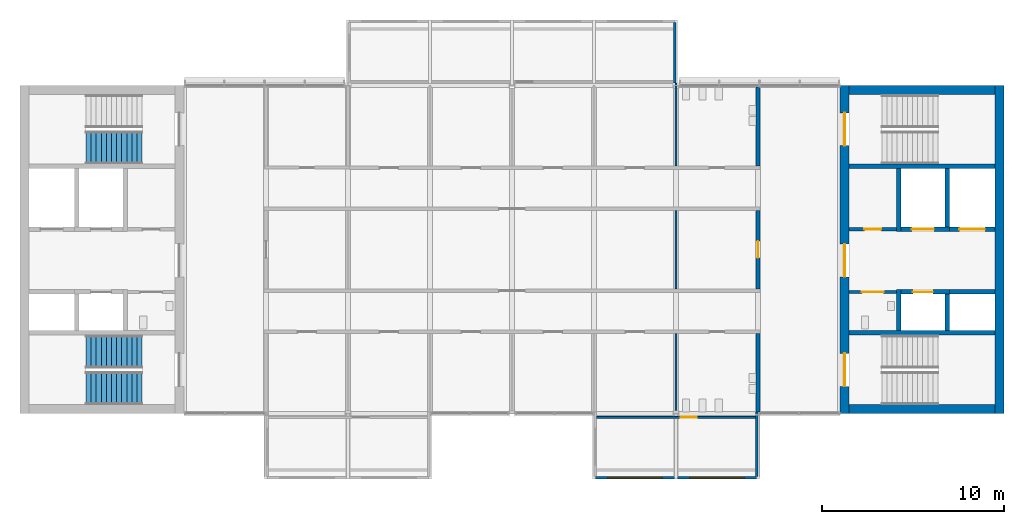
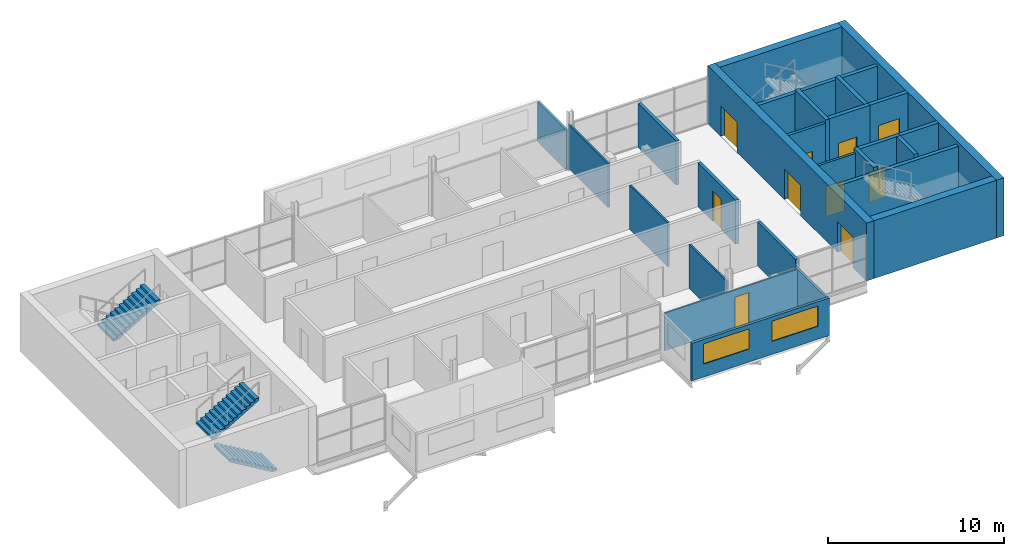
# One storey, part 8 of 12: 26 walls, 10 doors, 3 stair flights, 2 windows, 12 openings, 2 elements without a shape of their own.
"""IFC4 building model written with IfcOpenShell, lengths in metres."""

from ifc_helpers import new_model, si_unit, direction, frame, frame_2d, origin, place, context, subcontext, project, spatial, polyline, rectangle, outline, extrude, material, layer, layer_set, type_object, element, fill, aggregate, save


model = new_model("IFC4")

# Units and contexts
model_context = context("Model", 3, precision=1e-05, world=origin(), true_north=direction((0.0, 1.0)))
body_context = subcontext(model_context, "Body", "Model", "MODEL_VIEW")
ifc_project = project(units=[si_unit("LENGTHUNIT", "METRE"), si_unit("AREAUNIT", "SQUARE_METRE"), si_unit("VOLUMEUNIT", "CUBIC_METRE"), si_unit("PLANEANGLEUNIT", "RADIAN"), si_unit("MASSUNIT", "GRAM", prefix="KILO")], contexts=[model_context])

# Site, building, storey
site_placement = place(None, origin())
site = spatial("IfcSite", under=ifc_project, at=site_placement, CompositionType="ELEMENT")
building_placement = place(site_placement, origin())
building = spatial("IfcBuilding", under=site, at=building_placement, Name="Corbel Yard City Hall", CompositionType="ELEMENT")
storey_placement = place(building_placement, frame((0.0, 0.0, 55.199951171875)))
storey = spatial("IfcBuildingStorey", under=building, at=storey_placement, Name="L13", CompositionType="ELEMENT", Elevation=55.199951171875)

# Walls
ifc_material_1 = material(Name="Concrete N40 (40 MPa)", Category="concrete")
ifc_layer_1 = layer(ifc_material_1, 0.25)
ifc_layer_set_1 = layer_set([ifc_layer_1], Name="Concrete N40 (40 MPa)")
wall_type_1 = type_object("IfcWallType", Name="IW2", PredefinedType="SOLIDWALL", material=ifc_layer_set_1)
for number, where, z_axis, x_axis, name in (
    (1, (45.5, 103.425048828125, 0.0), (0.0, 0.0, 1.0), (1.0, 0.0, 0.0), "Stair enclosure wall"),
    (2, (45.5, 112.574951171875, 0.0), (0.0, 0.0, 1.0), (1.0, 0.0, 0.0), "Stair enclosure wall"),
):
    element("IfcWall", number, at=place(storey_placement, frame(where, z_axis=z_axis, x_axis=x_axis)), inside=storey, type_object=wall_type_1, Name=name, PredefinedType="SOLIDWALL", context=body_context, shape_type="SweptSolid", body=[
        extrude(rectangle(XDim=8.0, YDim=0.25, at=frame_2d((4.0, 0.0))), origin(), (0.0, 0.0, 1.0), 3.75),
    ])
wall_1_placement = place(storey_placement, frame((48.22509765625, 103.550048828125, 0.0), z_axis=(0.0, 0.0, 1.0), x_axis=(0.0, 1.0, 0.0)))
element("IfcWall", 3, at=wall_1_placement, inside=storey, type_object=wall_type_1, Name="Lift LP25 shaft wall", PredefinedType="SOLIDWALL", context=body_context, shape_type="SweptSolid", body=[
    extrude(rectangle(XDim=2.25, YDim=0.25, at=frame_2d((1.125, 0.0))), origin(), (0.0, 0.0, 1.0), 4.0),
])
wall_2_placement = place(storey_placement, frame((50.875, 103.550048828125, 0.0), z_axis=(0.0, 0.0, 1.0), x_axis=(0.0, 1.0, 0.0)))
element("IfcWall", 4, at=wall_2_placement, inside=storey, type_object=wall_type_1, Name="Lift LP25 shaft wall", PredefinedType="SOLIDWALL", context=body_context, shape_type="SweptSolid", body=[
    extrude(rectangle(XDim=2.0, YDim=0.25, at=frame_2d((1.0, 0.0))), origin(), (0.0, 0.0, 1.0), 4.0),
])

# Wall, opening, door
wall_3_placement = place(storey_placement, frame((48.35009765625, 105.675048828125, 0.0), z_axis=(0.0, 0.0, 1.0), x_axis=(1.0, 0.0, 0.0)))
wall_3 = element("IfcWall", 5, at=wall_3_placement, inside=storey, type_object=wall_type_1, Name="Lift LP25 shaft wall", PredefinedType="SOLIDWALL", context=body_context, shape_type="SweptSolid", body=[
    extrude(rectangle(XDim=2.64990234375, YDim=0.25, at=frame_2d((1.324951171875, 0.0))), origin(), (0.0, 0.0, 1.0), 4.0),
])
opening_1_placement = place(wall_3_placement, frame((0.64990234375, 0.0, 0.0)))
opening_1 = element("IfcOpeningElement", 6, at=opening_1_placement, cuts=wall_3, Name="Opening T4-007", PredefinedType="OPENING", context=body_context, shape_type="SweptSolid", body=[
    extrude(rectangle(XDim=1.10009765625, YDim=2.10009765625, at=frame_2d((0.550048828125, 1.050048828125))), frame((0.0, 0.135009765625, 0.0), z_axis=(0.0, -1.0, 0.0), x_axis=(1.0, 0.0, 0.0)), (0.0, 0.0, 1.0), 0.27001953125),
])
ifc_material_2 = material(Name="Stainless steel Grade 316", Category="steel")
door_type_1 = type_object("IfcDoorType", Name="LD1", OperationType="DOUBLE_DOOR_SLIDING", PredefinedType="DOOR", material=ifc_material_2)
door_1_placement = place(opening_1_placement, origin())
door_1 = element("IfcDoor", 7, at=door_1_placement, inside=storey, type_object=door_type_1, Name="Lift LP25 landing door", OperationType="DOUBLE_DOOR_SLIDING", OverallHeight=2.10009765625, OverallWidth=1.10009765625, PredefinedType="DOOR", context=body_context, shape_type="SweptSolid", body=[
    extrude(rectangle(XDim=1.10009765625, YDim=2.10009765625, at=frame_2d((0.550048828125, 1.050048828125))), frame((0.0, 0.02490234375, 0.0), z_axis=(0.0, -1.0, 0.0), x_axis=(1.0, 0.0, 0.0)), (0.0, 0.0, 1.0), 0.050048828125),
])
fill(opening_1, door_1)

# Walls
wall_4_placement = place(storey_placement, frame((51.0, 105.675048828125, 0.0), z_axis=(0.0, 0.0, 1.0), x_axis=(1.0, 0.0, 0.0)))
element("IfcWall", 8, at=wall_4_placement, inside=storey, type_object=wall_type_1, Name="Lift LP26 shaft wall", PredefinedType="SOLIDWALL", context=body_context, shape_type="SweptSolid", body=[
    extrude(rectangle(XDim=2.5, YDim=0.25, at=frame_2d((1.25, 0.0))), origin(), (0.0, 0.0, 1.0), 4.0),
])
wall_5_placement = place(storey_placement, frame((48.22509765625, 109.0, 0.0), z_axis=(0.0, 0.0, 1.0), x_axis=(0.0, 1.0, 0.0)))
element("IfcWall", 9, at=wall_5_placement, inside=storey, type_object=wall_type_1, Name="Lift LF2 shaft wall", PredefinedType="SOLIDWALL", context=body_context, shape_type="SweptSolid", body=[
    extrude(rectangle(XDim=3.449951171875, YDim=0.25, at=frame_2d((1.72509765625, 0.0))), origin(), (0.0, 0.0, 1.0), 4.0),
])
wall_6_placement = place(storey_placement, frame((50.875, 109.25, 0.0), z_axis=(0.0, 0.0, 1.0), x_axis=(0.0, 1.0, 0.0)))
element("IfcWall", 10, at=wall_6_placement, inside=storey, type_object=wall_type_1, Name="Lift LF2 shaft wall", PredefinedType="SOLIDWALL", context=body_context, shape_type="SweptSolid", body=[
    extrude(rectangle(XDim=3.199951171875, YDim=0.25, at=frame_2d((1.60009765625, 0.0))), origin(), (0.0, 0.0, 1.0), 4.0),
])

# Wall, opening, door
wall_7_placement = place(storey_placement, frame((48.35009765625, 109.125, 0.0), z_axis=(0.0, 0.0, 1.0), x_axis=(1.0, 0.0, 0.0)))
wall_7 = element("IfcWall", 11, at=wall_7_placement, inside=storey, type_object=wall_type_1, Name="Lift LF2 shaft wall", PredefinedType="SOLIDWALL", context=body_context, shape_type="SweptSolid", body=[
    extrude(rectangle(XDim=2.64990234375, YDim=0.25, at=frame_2d((1.324951171875, 0.0))), origin(), (0.0, 0.0, 1.0), 4.0),
])
opening_2_placement = place(wall_7_placement, frame((0.60009765625, 0.0, 0.0)))
opening_2 = element("IfcOpeningElement", 12, at=opening_2_placement, cuts=wall_7, Name="Opening T4-008", PredefinedType="OPENING", context=body_context, shape_type="SweptSolid", body=[
    extrude(rectangle(XDim=1.199951171875, YDim=2.10009765625, at=frame_2d((0.60009765625, 1.050048828125))), frame((0.0, 0.135009765625, 0.0), z_axis=(0.0, -1.0, 0.0), x_axis=(1.0, 0.0, 0.0)), (0.0, 0.0, 1.0), 0.27001953125),
])
door_type_2 = type_object("IfcDoorType", Name="LD2", OperationType="DOUBLE_DOOR_SLIDING", PredefinedType="DOOR", material=ifc_material_2)
door_2_placement = place(opening_2_placement, origin())
door_2 = element("IfcDoor", 13, at=door_2_placement, inside=storey, type_object=door_type_2, Name="Lift LF2 landing door", OperationType="DOUBLE_DOOR_SLIDING", OverallHeight=2.10009765625, OverallWidth=1.199951171875, PredefinedType="DOOR", context=body_context, shape_type="SweptSolid", body=[
    extrude(rectangle(XDim=1.199951171875, YDim=2.10009765625, at=frame_2d((0.60009765625, 1.050048828125))), frame((0.0, 0.02490234375, 0.0), z_axis=(0.0, -1.0, 0.0), x_axis=(1.0, 0.0, 0.0)), (0.0, 0.0, 1.0), 0.050048828125),
])
fill(opening_2, door_2)

wall_8_placement = place(storey_placement, frame((51.0, 109.125, 0.0), z_axis=(0.0, 0.0, 1.0), x_axis=(1.0, 0.0, 0.0)))
wall_8 = element("IfcWall", 14, at=wall_8_placement, inside=storey, type_object=wall_type_1, Name="Lift LG1 shaft wall", PredefinedType="SOLIDWALL", context=body_context, shape_type="SweptSolid", body=[
    extrude(rectangle(XDim=2.5, YDim=0.25, at=frame_2d((1.25, 0.0))), origin(), (0.0, 0.0, 1.0), 4.0),
])
opening_3_placement = place(wall_8_placement, frame((0.550048828125, 0.0, 0.0)))
opening_3 = element("IfcOpeningElement", 15, at=opening_3_placement, cuts=wall_8, Name="Opening T4-009", PredefinedType="OPENING", context=body_context, shape_type="SweptSolid", body=[
    extrude(rectangle(XDim=1.39990234375, YDim=2.39990234375, at=frame_2d((0.699951171875, 1.199951171875))), frame((0.0, 0.135009765625, 0.0), z_axis=(0.0, -1.0, 0.0), x_axis=(1.0, 0.0, 0.0)), (0.0, 0.0, 1.0), 0.27001953125),
])
door_type_3 = type_object("IfcDoorType", Name="LD3", OperationType="DOUBLE_DOOR_SLIDING", PredefinedType="DOOR", material=ifc_material_2)
door_3_placement = place(opening_3_placement, origin())
door_3 = element("IfcDoor", 16, at=door_3_placement, inside=storey, type_object=door_type_3, Name="Lift LG1 landing door", OperationType="DOUBLE_DOOR_SLIDING", OverallHeight=2.39990234375, OverallWidth=1.39990234375, PredefinedType="DOOR", context=body_context, shape_type="SweptSolid", body=[
    extrude(rectangle(XDim=1.39990234375, YDim=2.39990234375, at=frame_2d((0.699951171875, 1.199951171875))), frame((0.0, 0.02490234375, 0.0), z_axis=(0.0, -1.0, 0.0), x_axis=(1.0, 0.0, 0.0)), (0.0, 0.0, 1.0), 0.050048828125),
])
fill(opening_3, door_3)

# Wall, openings, windows
ifc_material_3 = material(Name="Anodised aluminium", Category="aluminium")
ifc_layer_2 = layer(ifc_material_3, 0.02392578125)
ifc_material_4 = material(Name="Steel Grade G550 (550 MPa yield)", Category="steel")
ifc_layer_3 = layer(ifc_material_4, 0.10009765625)
ifc_material_5 = material(Name="Gypsum plasterboard", Category="gypsum")
ifc_layer_4 = layer(ifc_material_5, 0.02587890625)
ifc_layer_set_2 = layer_set([ifc_layer_2, ifc_layer_3, ifc_layer_4], Name="Steel Grade G550 (550 MPa yield)")
wall_type_2 = type_object("IfcWallType", Name="PD1", PredefinedType="SOLIDWALL", material=ifc_layer_set_2)
wall_9_placement = place(storey_placement, frame((31.5, 95.47509765625, 0.0), z_axis=(0.0, 0.0, 1.0), x_axis=(1.0, 0.0, 0.0)))
wall_9 = element("IfcWall", 17, at=wall_9_placement, inside=storey, type_object=wall_type_2, Name="Pod outer wall L13", PredefinedType="SOLIDWALL", context=body_context, shape_type="SweptSolid", body=[
    extrude(rectangle(XDim=9.0, YDim=0.14990234375, at=frame_2d((4.5, 0.0))), origin(), (0.0, 0.0, 1.0), 2.60009765625),
])
opening_4_placement = place(wall_9_placement, frame((0.75, 0.0, 0.89990234375)))
opening_4 = element("IfcOpeningElement", 18, at=opening_4_placement, cuts=wall_9, Name="Opening WN5", PredefinedType="OPENING", context=body_context, shape_type="SweptSolid", body=[
    extrude(rectangle(XDim=3.0, YDim=1.39990234375, at=frame_2d((1.5, 0.699951171875))), frame((0.0, 0.0849609375, 0.0), z_axis=(0.0, -1.0, 0.0), x_axis=(1.0, 0.0, 0.0)), (0.0, 0.0, 1.0), 0.169921875),
])
opening_5_placement = place(wall_9_placement, frame((5.25, 0.0, 0.89990234375)))
opening_5 = element("IfcOpeningElement", 19, at=opening_5_placement, cuts=wall_9, Name="Opening WN5", PredefinedType="OPENING", context=body_context, shape_type="SweptSolid", body=[
    extrude(rectangle(XDim=3.0, YDim=1.39990234375, at=frame_2d((1.5, 0.699951171875))), frame((0.0, 0.0849609375, 0.0), z_axis=(0.0, -1.0, 0.0), x_axis=(1.0, 0.0, 0.0)), (0.0, 0.0, 1.0), 0.169921875),
])
ifc_material_6 = material(Name="Aluminium frame, double glazed low-e glass", Category="aluminium")
window_type = type_object("IfcWindowType", Name="WN5", PartitioningType="SINGLE_PANEL", PredefinedType="WINDOW", material=ifc_material_6)
window_1_placement = place(opening_4_placement, origin())
window_1 = element("IfcWindow", 20, at=window_1_placement, inside=storey, type_object=window_type, Name="Window WN5 L13", OverallHeight=1.39990234375, OverallWidth=3.0, PartitioningType="SINGLE_PANEL", PredefinedType="WINDOW", context=body_context, shape_type="SweptSolid", body=[
    extrude(rectangle(XDim=3.0, YDim=1.39990234375, at=frame_2d((1.5, 0.699951171875))), frame((0.0, 0.030029296875, 0.0), z_axis=(0.0, -1.0, 0.0), x_axis=(1.0, 0.0, 0.0)), (0.0, 0.0, 1.0), 0.06005859375),
])
fill(opening_4, window_1)
window_2_placement = place(opening_5_placement, origin())
window_2 = element("IfcWindow", 21, at=window_2_placement, inside=storey, type_object=window_type, Name="Window WN5 L13", OverallHeight=1.39990234375, OverallWidth=3.0, PartitioningType="SINGLE_PANEL", PredefinedType="WINDOW", context=body_context, shape_type="SweptSolid", body=[
    extrude(rectangle(XDim=3.0, YDim=1.39990234375, at=frame_2d((1.5, 0.699951171875))), frame((0.0, 0.030029296875, 0.0), z_axis=(0.0, -1.0, 0.0), x_axis=(1.0, 0.0, 0.0)), (0.0, 0.0, 1.0), 0.06005859375),
])
fill(opening_5, window_2)

# Wall, opening, door
ifc_layer_5 = layer(ifc_material_5, 0.01806640625)
ifc_layer_6 = layer(ifc_material_4, 0.06396484375)
ifc_layer_7 = layer(ifc_material_5, 0.01806640625)
ifc_layer_set_3 = layer_set([ifc_layer_5, ifc_layer_6, ifc_layer_7], Name="Steel Grade G550 (550 MPa yield)")
wall_type_3 = type_object("IfcWallType", Name="PD2", PredefinedType="PARTITIONING", material=ifc_layer_set_3)
wall_10_placement = place(storey_placement, frame((31.64990234375, 98.79443359375, 0.0), z_axis=(0.0, 0.0, 1.0), x_axis=(1.0, 0.0, 0.0)))
wall_10 = element("IfcWall", 22, at=wall_10_placement, inside=storey, type_object=wall_type_3, Name="Pod inner wall L13", PredefinedType="PARTITIONING", context=body_context, shape_type="SweptSolid", body=[
    extrude(rectangle(XDim=8.7001953125, YDim=0.10009765625, at=frame_2d((4.35009765625, 0.0))), origin(), (0.0, 0.0, 1.0), 2.60009765625),
])
opening_6_placement = place(wall_10_placement, frame((4.60009765625, 0.0, 0.0)))
opening_6 = element("IfcOpeningElement", 23, at=opening_6_placement, cuts=wall_10, Name="Opening T4-002", PredefinedType="OPENING", context=body_context, shape_type="SweptSolid", body=[
    extrude(rectangle(XDim=0.89990234375, YDim=2.10009765625, at=frame_2d((0.449951171875, 1.050048828125))), frame((0.0, 0.06005859375, 0.0), z_axis=(0.0, -1.0, 0.0), x_axis=(1.0, 0.0, 0.0)), (0.0, 0.0, 1.0), 0.1201171875),
])
ifc_material_7 = material(Name="Timber, solid core", Category="wood")
door_type_4 = type_object("IfcDoorType", Name="XD6", OperationType="SINGLE_SWING_LEFT", PredefinedType="DOOR", material=ifc_material_7)
door_4_placement = place(opening_6_placement, origin())
door_4 = element("IfcDoor", 24, at=door_4_placement, inside=storey, type_object=door_type_4, Name="Pod door L13", OperationType="SINGLE_SWING_LEFT", OverallHeight=2.10009765625, OverallWidth=0.89990234375, PredefinedType="DOOR", context=body_context, shape_type="SweptSolid", body=[
    extrude(rectangle(XDim=0.89990234375, YDim=2.10009765625, at=frame_2d((0.449951171875, 1.050048828125))), frame((0.0, 0.02490234375, 0.0), z_axis=(0.0, -1.0, 0.0), x_axis=(1.0, 0.0, 0.0)), (0.0, 0.0, 1.0), 0.050048828125),
])
fill(opening_6, door_4)

# Walls
ifc_layer_8 = layer(ifc_material_3, 0.02392578125)
ifc_layer_9 = layer(ifc_material_4, 0.10009765625)
ifc_layer_10 = layer(ifc_material_5, 0.02587890625)
ifc_layer_set_4 = layer_set([ifc_layer_8, ifc_layer_9, ifc_layer_10], Name="Steel Grade G550 (550 MPa yield)")
wall_type_4 = type_object("IfcWallType", Name="PD3", PredefinedType="SOLIDWALL", material=ifc_layer_set_4)
wall_11_placement = place(storey_placement, frame((40.425048828125, 95.550048828125, -0.14990234375), z_axis=(0.0, 0.0, 1.0), x_axis=(0.0, 1.0, 0.0)))
element("IfcWall", 25, at=wall_11_placement, inside=storey, type_object=wall_type_4, Name="Pod side wall L13", PredefinedType="SOLIDWALL", context=body_context, shape_type="SweptSolid", body=[
    extrude(rectangle(XDim=3.52490234375, YDim=0.14990234375, at=frame_2d((1.762451171875, 0.0))), origin(), (0.0, 0.0, 1.0), 2.75),
])
wall_12_placement = place(storey_placement, frame((35.925048828125, 120.449951171875, -0.14990234375), z_axis=(0.0, 0.0, 1.0), x_axis=(0.0, -1.0, 0.0)))
element("IfcWall", 26, at=wall_12_placement, inside=storey, type_object=wall_type_4, Name="Pod side wall L13", PredefinedType="SOLIDWALL", context=body_context, shape_type="SweptSolid", body=[
    extrude(rectangle(XDim=3.29443359375, YDim=0.14990234375, at=frame_2d((1.647216796875, 0.0))), origin(), (0.0, 0.0, 1.0), 2.75),
])
ifc_layer_11 = layer(ifc_material_5, 0.028076171875)
ifc_layer_12 = layer(ifc_material_4, 0.06396484375)
ifc_layer_13 = layer(ifc_material_5, 0.028076171875)
ifc_layer_set_5 = layer_set([ifc_layer_11, ifc_layer_12, ifc_layer_13], Name="Steel Grade G550 (550 MPa yield)")
wall_type_5 = type_object("IfcWallType", Name="PT1", PredefinedType="PARTITIONING", material=ifc_layer_set_5)
wall_13_placement = place(storey_placement, frame((36.0, 99.16357421875, 0.0), z_axis=(0.0, 0.0, 1.0), x_axis=(0.0, 1.0, 0.0)))
element("IfcWall", 27, at=wall_13_placement, inside=storey, type_object=wall_type_5, Name="Partition", PredefinedType="PARTITIONING", context=body_context, shape_type="SweptSolid", body=[
    extrude(rectangle(XDim=4.236328125, YDim=0.1201171875, at=frame_2d((2.1181640625, 0.0))), origin(), (0.0, 0.0, 1.0), 3.050048828125),
])
wall_14_placement = place(storey_placement, frame((36.0, 105.85009765625, 0.0), z_axis=(0.0, 0.0, 1.0), x_axis=(0.0, 1.0, 0.0)))
element("IfcWall", 28, at=wall_14_placement, inside=storey, type_object=wall_type_5, Name="Partition", PredefinedType="PARTITIONING", context=body_context, shape_type="SweptSolid", body=[
    extrude(rectangle(XDim=4.2998046875, YDim=0.1201171875, at=frame_2d((2.14990234375, 0.0))), origin(), (0.0, 0.0, 1.0), 3.050048828125),
])
wall_15_placement = place(storey_placement, frame((36.0, 112.60009765625, 0.0), z_axis=(0.0, 0.0, 1.0), x_axis=(0.0, 1.0, 0.0)))
element("IfcWall", 29, at=wall_15_placement, inside=storey, type_object=wall_type_5, Name="Partition", PredefinedType="PARTITIONING", context=body_context, shape_type="SweptSolid", body=[
    extrude(rectangle(XDim=4.555419921875, YDim=0.1201171875, at=frame_2d((2.27783203125, 0.0))), origin(), (0.0, 0.0, 1.0), 3.050048828125),
])
ifc_layer_14 = layer(ifc_material_5, 0.031982421875)
ifc_layer_15 = layer(ifc_material_4, 0.135986328125)
ifc_layer_16 = layer(ifc_material_5, 0.031982421875)
ifc_layer_set_6 = layer_set([ifc_layer_14, ifc_layer_15, ifc_layer_16], Name="Steel Grade G550 (550 MPa yield)")
wall_type_6 = type_object("IfcWallType", Name="PT2", PredefinedType="PARTITIONING", material=ifc_layer_set_6)
wall_16_placement = place(storey_placement, frame((40.5, 99.074951171875, 0.0), z_axis=(0.0, 0.0, 1.0), x_axis=(0.0, 1.0, 0.0)))
element("IfcWall", 30, at=wall_16_placement, inside=storey, type_object=wall_type_6, Name="Acoustic wall", PredefinedType="PARTITIONING", context=body_context, shape_type="SweptSolid", body=[
    extrude(rectangle(XDim=4.324951171875, YDim=0.199951171875, at=frame_2d((2.16259765625, 0.0))), origin(), (0.0, 0.0, 1.0), 3.050048828125),
])

# Wall, opening, door
wall_17_placement = place(storey_placement, frame((40.5, 105.85009765625, 0.0), z_axis=(0.0, 0.0, 1.0), x_axis=(0.0, 1.0, 0.0)))
wall_17 = element("IfcWall", 31, at=wall_17_placement, inside=storey, type_object=wall_type_6, Name="Acoustic wall", PredefinedType="PARTITIONING", context=body_context, shape_type="SweptSolid", body=[
    extrude(rectangle(XDim=4.2998046875, YDim=0.199951171875, at=frame_2d((2.14990234375, 0.0))), origin(), (0.0, 0.0, 1.0), 3.050048828125),
])
opening_7_placement = place(wall_17_placement, frame((1.68994140625, 0.0, 0.0)))
opening_7 = element("IfcOpeningElement", 32, at=opening_7_placement, cuts=wall_17, Name="Opening T4-013", PredefinedType="OPENING", context=body_context, shape_type="SweptSolid", body=[
    extrude(rectangle(XDim=0.919921875, YDim=2.10009765625, at=frame_2d((0.4599609375, 1.050048828125))), frame((0.0, 0.10986328125, 0.0), z_axis=(0.0, -1.0, 0.0), x_axis=(1.0, 0.0, 0.0)), (0.0, 0.0, 1.0), 0.219970703125),
])
ifc_material_8 = material(Name="Timber", Category="wood")
door_type_5 = type_object("IfcDoorType", Name="D4", OperationType="SINGLE_SWING_LEFT", PredefinedType="DOOR", material=ifc_material_8)
door_5_placement = place(opening_7_placement, origin())
door_5 = element("IfcDoor", 33, at=door_5_placement, inside=storey, type_object=door_type_5, Name="Door Pantry 1311", OperationType="SINGLE_SWING_LEFT", OverallHeight=2.10009765625, OverallWidth=0.919921875, PredefinedType="DOOR", context=body_context, shape_type="SweptSolid", body=[
    extrude(rectangle(XDim=0.919921875, YDim=2.10009765625, at=frame_2d((0.4599609375, 1.050048828125))), frame((0.0, 0.02490234375, 0.0), z_axis=(0.0, -1.0, 0.0), x_axis=(1.0, 0.0, 0.0)), (0.0, 0.0, 1.0), 0.050048828125),
])
fill(opening_7, door_5)

# Wall
wall_18_placement = place(storey_placement, frame((40.5, 112.60009765625, 0.0), z_axis=(0.0, 0.0, 1.0), x_axis=(0.0, 1.0, 0.0)))
element("IfcWall", 34, at=wall_18_placement, inside=storey, type_object=wall_type_6, Name="Acoustic wall", PredefinedType="PARTITIONING", context=body_context, shape_type="SweptSolid", body=[
    extrude(rectangle(XDim=4.309814453125, YDim=0.199951171875, at=frame_2d((2.15478515625, 0.0))), origin(), (0.0, 0.0, 1.0), 3.050048828125),
])

# Wall, opening, door
ifc_layer_17 = layer(ifc_material_5, 0.031982421875)
ifc_layer_18 = layer(ifc_material_4, 0.095947265625)
ifc_layer_19 = layer(ifc_material_5, 0.031982421875)
ifc_layer_set_7 = layer_set([ifc_layer_17, ifc_layer_18, ifc_layer_19], Name="Steel Grade G550 (550 MPa yield)")
wall_type_7 = type_object("IfcWallType", Name="PT3", PredefinedType="PARTITIONING", material=ifc_layer_set_7)
wall_19_placement = place(storey_placement, frame((45.5, 105.675048828125, 0.0), z_axis=(0.0, 0.0, 1.0), x_axis=(1.0, 0.0, 0.0)))
wall_19 = element("IfcWall", 35, at=wall_19_placement, inside=storey, type_object=wall_type_7, Name="Accessible WC wall", PredefinedType="PARTITIONING", context=body_context, shape_type="SweptSolid", body=[
    extrude(rectangle(XDim=2.60009765625, YDim=0.159912109375, at=frame_2d((1.300048828125, 0.0))), origin(), (0.0, 0.0, 1.0), 3.75),
])
opening_8_placement = place(wall_19_placement, frame((0.699951171875, 0.0, 0.0)))
opening_8 = element("IfcOpeningElement", 36, at=opening_8_placement, cuts=wall_19, Name="Opening T4-034", PredefinedType="OPENING", context=body_context, shape_type="SweptSolid", body=[
    extrude(rectangle(XDim=1.199951171875, YDim=2.10009765625, at=frame_2d((0.60009765625, 1.050048828125))), frame((0.0, 0.08984375, 0.0), z_axis=(0.0, -1.0, 0.0), x_axis=(1.0, 0.0, 0.0)), (0.0, 0.0, 1.0), 0.179931640625),
])
ifc_material_9 = material(Name="Steel Grade G250", Category="steel")
door_type_6 = type_object("IfcDoorType", Name="FD7", OperationType="SINGLE_SWING_LEFT", PredefinedType="DOOR", material=ifc_material_9)
door_6_placement = place(opening_8_placement, frame((1.199951171875, 0.0, 0.0), z_axis=(0.0, 0.0, 1.0), x_axis=(-1.0, 0.0, 0.0)))
door_6 = element("IfcDoor", 37, at=door_6_placement, inside=storey, type_object=door_type_6, Name="Door accessible WC East", OperationType="SINGLE_SWING_RIGHT", OverallHeight=2.10009765625, OverallWidth=1.199951171875, PredefinedType="DOOR", context=body_context, shape_type="SweptSolid", body=[
    extrude(rectangle(XDim=1.199951171875, YDim=2.10009765625, at=frame_2d((0.60009765625, 1.050048828125))), frame((0.0, 0.02490234375, 0.0), z_axis=(0.0, -1.0, 0.0), x_axis=(1.0, 0.0, 0.0)), (0.0, 0.0, 1.0), 0.050048828125),
])
fill(opening_8, door_6)

ifc_material_10 = material(Name="Concrete block", Category="concrete")
ifc_layer_20 = layer(ifc_material_10, 0.18994140625)
ifc_layer_set_8 = layer_set([ifc_layer_20], Name="Concrete block")
wall_type_8 = type_object("IfcWallType", Name="PT4", PredefinedType="PARTITIONING", material=ifc_layer_set_8)
wall_20_placement = place(storey_placement, frame((45.5, 109.125, 0.0), z_axis=(0.0, 0.0, 1.0), x_axis=(1.0, 0.0, 0.0)))
wall_20 = element("IfcWall", 38, at=wall_20_placement, inside=storey, type_object=wall_type_8, Name="Riser wall", PredefinedType="PARTITIONING", context=body_context, shape_type="SweptSolid", body=[
    extrude(rectangle(XDim=2.60009765625, YDim=0.18994140625, at=frame_2d((1.300048828125, 0.0))), origin(), (0.0, 0.0, 1.0), 3.75),
])
opening_9_placement = place(wall_20_placement, frame((0.840087890625, 0.0, 0.0)))
opening_9 = element("IfcOpeningElement", 39, at=opening_9_placement, cuts=wall_20, Name="Opening T4-035", PredefinedType="OPENING", context=body_context, shape_type="SweptSolid", body=[
    extrude(rectangle(XDim=0.919921875, YDim=2.10009765625, at=frame_2d((0.4599609375, 1.050048828125))), frame((0.0, 0.10498046875, 0.0), z_axis=(0.0, -1.0, 0.0), x_axis=(1.0, 0.0, 0.0)), (0.0, 0.0, 1.0), 0.2099609375),
])
door_type_7 = type_object("IfcDoorType", Name="FS4", OperationType="SINGLE_SWING_LEFT", PredefinedType="DOOR", material=ifc_material_9)
door_7_placement = place(opening_9_placement, origin())
door_7 = element("IfcDoor", 40, at=door_7_placement, inside=storey, type_object=door_type_7, Name="Door riser East", OperationType="SINGLE_SWING_LEFT", OverallHeight=2.10009765625, OverallWidth=0.919921875, PredefinedType="DOOR", context=body_context, shape_type="SweptSolid", body=[
    extrude(rectangle(XDim=0.919921875, YDim=2.10009765625, at=frame_2d((0.4599609375, 1.050048828125))), frame((0.0, 0.02490234375, 0.0), z_axis=(0.0, -1.0, 0.0), x_axis=(1.0, 0.0, 0.0)), (0.0, 0.0, 1.0), 0.050048828125),
])
fill(opening_9, door_7)

# Wall, openings, doors
ifc_material_11 = material(Name="Concrete N50 (50 MPa)", Category="concrete")
ifc_layer_21 = layer(ifc_material_11, 0.5)
ifc_layer_set_9 = layer_set([ifc_layer_21], Name="Concrete N50 (50 MPa)")
wall_type_9 = type_object("IfcWallType", Name="Trunk wall 500", PredefinedType="SHEAR", material=ifc_layer_set_9)
wall_21_placement = place(storey_placement, frame((45.25, 99.0, 0.0), z_axis=(0.0, 0.0, 1.0), x_axis=(0.0, 1.0, 0.0)))
wall_21 = element("IfcWall", 41, at=wall_21_placement, inside=storey, type_object=wall_type_9, Name="Trunk E west wall", PredefinedType="SHEAR", context=body_context, shape_type="SweptSolid", body=[
    extrude(rectangle(XDim=18.0, YDim=0.5, at=frame_2d((9.0, 0.0))), origin(), (0.0, 0.0, 1.0), 4.0),
])
opening_10_placement = place(wall_21_placement, frame((1.5, 0.0, 0.0)))
opening_10 = element("IfcOpeningElement", 42, at=opening_10_placement, cuts=wall_21, Name="Opening T4-031", PredefinedType="OPENING", context=body_context, shape_type="SweptSolid", body=[
    extrude(rectangle(XDim=1.800048828125, YDim=2.10009765625, at=frame_2d((0.89990234375, 1.050048828125))), frame((0.0, 0.260009765625, 0.0), z_axis=(0.0, -1.0, 0.0), x_axis=(1.0, 0.0, 0.0)), (0.0, 0.0, 1.0), 0.52001953125),
])
opening_11_placement = place(wall_21_placement, frame((14.699951171875, 0.0, 0.0)))
opening_11 = element("IfcOpeningElement", 43, at=opening_11_placement, cuts=wall_21, Name="Opening T4-032", PredefinedType="OPENING", context=body_context, shape_type="SweptSolid", body=[
    extrude(rectangle(XDim=1.800048828125, YDim=2.10009765625, at=frame_2d((0.89990234375, 1.050048828125))), frame((0.0, 0.260009765625, 0.0), z_axis=(0.0, -1.0, 0.0), x_axis=(1.0, 0.0, 0.0)), (0.0, 0.0, 1.0), 0.52001953125),
])
opening_12_placement = place(wall_21_placement, frame((7.5, 0.0, 0.0)))
opening_12 = element("IfcOpeningElement", 44, at=opening_12_placement, cuts=wall_21, Name="Opening T4-033", PredefinedType="OPENING", context=body_context, shape_type="SweptSolid", body=[
    extrude(rectangle(XDim=1.800048828125, YDim=2.10009765625, at=frame_2d((0.89990234375, 1.050048828125))), frame((0.0, 0.260009765625, 0.0), z_axis=(0.0, -1.0, 0.0), x_axis=(1.0, 0.0, 0.0)), (0.0, 0.0, 1.0), 0.52001953125),
])
door_type_8 = type_object("IfcDoorType", Name="FS3", OperationType="DOUBLE_DOOR_SINGLE_SWING", PredefinedType="DOOR", material=ifc_material_9)
door_8_placement = place(opening_10_placement, origin())
door_8 = element("IfcDoor", 45, at=door_8_placement, inside=storey, type_object=door_type_8, Name="Door ST-E1", OperationType="DOUBLE_DOOR_SINGLE_SWING", OverallHeight=2.10009765625, OverallWidth=1.800048828125, PredefinedType="DOOR", context=body_context, shape_type="SweptSolid", body=[
    extrude(rectangle(XDim=1.800048828125, YDim=2.10009765625, at=frame_2d((0.89990234375, 1.050048828125))), frame((0.0, 0.02490234375, 0.0), z_axis=(0.0, -1.0, 0.0), x_axis=(1.0, 0.0, 0.0)), (0.0, 0.0, 1.0), 0.050048828125),
])
fill(opening_10, door_8)
door_9_placement = place(opening_11_placement, origin())
door_9 = element("IfcDoor", 46, at=door_9_placement, inside=storey, type_object=door_type_8, Name="Door ST-E2", OperationType="DOUBLE_DOOR_SINGLE_SWING", OverallHeight=2.10009765625, OverallWidth=1.800048828125, PredefinedType="DOOR", context=body_context, shape_type="SweptSolid", body=[
    extrude(rectangle(XDim=1.800048828125, YDim=2.10009765625, at=frame_2d((0.89990234375, 1.050048828125))), frame((0.0, 0.02490234375, 0.0), z_axis=(0.0, -1.0, 0.0), x_axis=(1.0, 0.0, 0.0)), (0.0, 0.0, 1.0), 0.050048828125),
])
fill(opening_11, door_9)
door_10_placement = place(opening_12_placement, origin())
door_10 = element("IfcDoor", 47, at=door_10_placement, inside=storey, type_object=door_type_8, Name="Door lift lobby East", OperationType="DOUBLE_DOOR_SINGLE_SWING", OverallHeight=2.10009765625, OverallWidth=1.800048828125, PredefinedType="DOOR", context=body_context, shape_type="SweptSolid", body=[
    extrude(rectangle(XDim=1.800048828125, YDim=2.10009765625, at=frame_2d((0.89990234375, 1.050048828125))), frame((0.0, 0.02490234375, 0.0), z_axis=(0.0, -1.0, 0.0), x_axis=(1.0, 0.0, 0.0)), (0.0, 0.0, 1.0), 0.050048828125),
])
fill(opening_12, door_10)

# Walls
wall_22_placement = place(storey_placement, frame((53.75, 99.0, 0.0), z_axis=(0.0, 0.0, 1.0), x_axis=(0.0, 1.0, 0.0)))
element("IfcWall", 48, at=wall_22_placement, inside=storey, type_object=wall_type_9, Name="Trunk E east wall", PredefinedType="SHEAR", context=body_context, shape_type="SweptSolid", body=[
    extrude(rectangle(XDim=18.0, YDim=0.5, at=frame_2d((9.0, 0.0))), origin(), (0.0, 0.0, 1.0), 4.0),
])
for number, where, z_axis, x_axis, name in (
    (49, (45.5, 99.25, 0.0), (0.0, 0.0, 1.0), (1.0, 0.0, 0.0), "Trunk E south wall"),
    (50, (45.5, 116.75, 0.0), (0.0, 0.0, 1.0), (1.0, 0.0, 0.0), "Trunk E north wall"),
):
    element("IfcWall", number, at=place(storey_placement, frame(where, z_axis=z_axis, x_axis=x_axis)), inside=storey, type_object=wall_type_9, Name=name, PredefinedType="SHEAR", context=body_context, shape_type="SweptSolid", body=[
        extrude(rectangle(XDim=8.0, YDim=0.5, at=frame_2d((4.0, 0.0))), origin(), (0.0, 0.0, 1.0), 4.0),
    ])

# Stair, stair flights
stair_type = type_object("IfcStairType", Name="ST4", PredefinedType="HALF_TURN_STAIR", material=ifc_material_1)
stair_1_placement = place(storey_placement, origin())
stair_1 = element("IfcStair", 51, at=stair_1_placement, inside=storey, type_object=stair_type, Name="Exit stair ST-W1 L13", PredefinedType="HALF_TURN_STAIR")
stair_flight_type = type_object("IfcStairFlightType", Name="FL4", PredefinedType="STRAIGHT", material=ifc_material_1)
stair_flight_1_placement = place(storey_placement, frame((6.699951171875, 100.39990234375, 0.0), z_axis=(0.0, 0.0, 1.0), x_axis=(-1.0, 0.0, 0.0)))
stair_flight_1 = element("IfcStairFlight", 52, at=stair_flight_1_placement, type_object=stair_flight_type, Name="ST-W1 flight 1", NumberOfRisers=12, NumberOfTreads=11, PredefinedType="STRAIGHT", RiserHeight=0.166667, TreadLength=0.28, context=body_context, shape_type="SweptSolid", body=[
    extrude(outline(polyline([(0.0, 0.0), (0.0, 0.166748046875), (0.280029296875, 0.166748046875), (0.280029296875, 0.333251953125), (0.56005859375, 0.333251953125), (0.56005859375, 0.5), (0.840087890625, 0.5), (0.840087890625, 0.666748046875), (1.1201171875, 0.666748046875), (1.1201171875, 0.833251953125), (1.39990234375, 0.833251953125), (1.39990234375, 1.0), (1.679931640625, 1.0), (1.679931640625, 1.166748046875), (1.9599609375, 1.166748046875), (1.9599609375, 1.333251953125), (2.239990234375, 1.333251953125), (2.239990234375, 1.5), (2.52001953125, 1.5), (2.52001953125, 1.666748046875), (2.800048828125, 1.666748046875), (2.800048828125, 1.833251953125), (3.080078125, 1.833251953125), (3.080078125, 2.0), (3.080078125, 1.658935546875), (0.29296875, 0.0), (0.0, 0.0)])), frame((0.0, 0.89990234375, 0.0), z_axis=(0.0, -1.0, 0.0), x_axis=(1.0, 0.0, 0.0)), (0.0, 0.0, 1.0), 1.800048828125),
])
stair_flight_2_placement = place(storey_placement, frame((3.6201171875, 102.39990234375, 2.0), z_axis=(0.0, 0.0, 1.0), x_axis=(1.0, 0.0, 0.0)))
stair_flight_2 = element("IfcStairFlight", 53, at=stair_flight_2_placement, type_object=stair_flight_type, Name="ST-W1 flight 2", NumberOfRisers=12, NumberOfTreads=11, PredefinedType="STRAIGHT", RiserHeight=0.166667, TreadLength=0.28, context=body_context, shape_type="SweptSolid", body=[
    extrude(outline(polyline([(0.0, 0.0), (0.0, 0.166748046875), (0.280029296875, 0.166748046875), (0.280029296875, 0.333251953125), (0.56005859375, 0.333251953125), (0.56005859375, 0.5), (0.840087890625, 0.5), (0.840087890625, 0.666748046875), (1.1201171875, 0.666748046875), (1.1201171875, 0.833251953125), (1.39990234375, 0.833251953125), (1.39990234375, 1.0), (1.679931640625, 1.0), (1.679931640625, 1.166748046875), (1.9599609375, 1.166748046875), (1.9599609375, 1.333251953125), (2.239990234375, 1.333251953125), (2.239990234375, 1.5), (2.52001953125, 1.5), (2.52001953125, 1.666748046875), (2.800048828125, 1.666748046875), (2.800048828125, 1.833251953125), (3.080078125, 1.833251953125), (3.080078125, 2.0), (3.080078125, 1.658935546875), (0.29296875, 0.0), (0.0, 0.0)])), frame((0.0, 0.89990234375, 0.0), z_axis=(0.0, -1.0, 0.0), x_axis=(1.0, 0.0, 0.0)), (0.0, 0.0, 1.0), 1.800048828125),
])
aggregate(stair_1, [stair_flight_1, stair_flight_2])

# Stair, stair flight
stair_2_placement = place(storey_placement, origin())
stair_2 = element("IfcStair", 54, at=stair_2_placement, inside=storey, type_object=stair_type, Name="Exit stair ST-W2 L13", PredefinedType="HALF_TURN_STAIR")
stair_flight_3_placement = place(storey_placement, frame((3.6201171875, 113.60009765625, 2.0), z_axis=(0.0, 0.0, 1.0), x_axis=(1.0, 0.0, 0.0)))
stair_flight_3 = element("IfcStairFlight", 55, at=stair_flight_3_placement, type_object=stair_flight_type, Name="ST-W2 flight 2", NumberOfRisers=12, NumberOfTreads=11, PredefinedType="STRAIGHT", RiserHeight=0.166667, TreadLength=0.28, context=body_context, shape_type="SweptSolid", body=[
    extrude(outline(polyline([(0.0, 0.0), (0.0, 0.166748046875), (0.280029296875, 0.166748046875), (0.280029296875, 0.333251953125), (0.56005859375, 0.333251953125), (0.56005859375, 0.5), (0.840087890625, 0.5), (0.840087890625, 0.666748046875), (1.1201171875, 0.666748046875), (1.1201171875, 0.833251953125), (1.39990234375, 0.833251953125), (1.39990234375, 1.0), (1.679931640625, 1.0), (1.679931640625, 1.166748046875), (1.9599609375, 1.166748046875), (1.9599609375, 1.333251953125), (2.239990234375, 1.333251953125), (2.239990234375, 1.5), (2.52001953125, 1.5), (2.52001953125, 1.666748046875), (2.800048828125, 1.666748046875), (2.800048828125, 1.833251953125), (3.080078125, 1.833251953125), (3.080078125, 2.0), (3.080078125, 1.658935546875), (0.29296875, 0.0), (0.0, 0.0)])), frame((0.0, 0.89990234375, 0.0), z_axis=(0.0, -1.0, 0.0), x_axis=(1.0, 0.0, 0.0)), (0.0, 0.0, 1.0), 1.800048828125),
])
aggregate(stair_2, [stair_flight_3])

save(model, "model.ifc")
